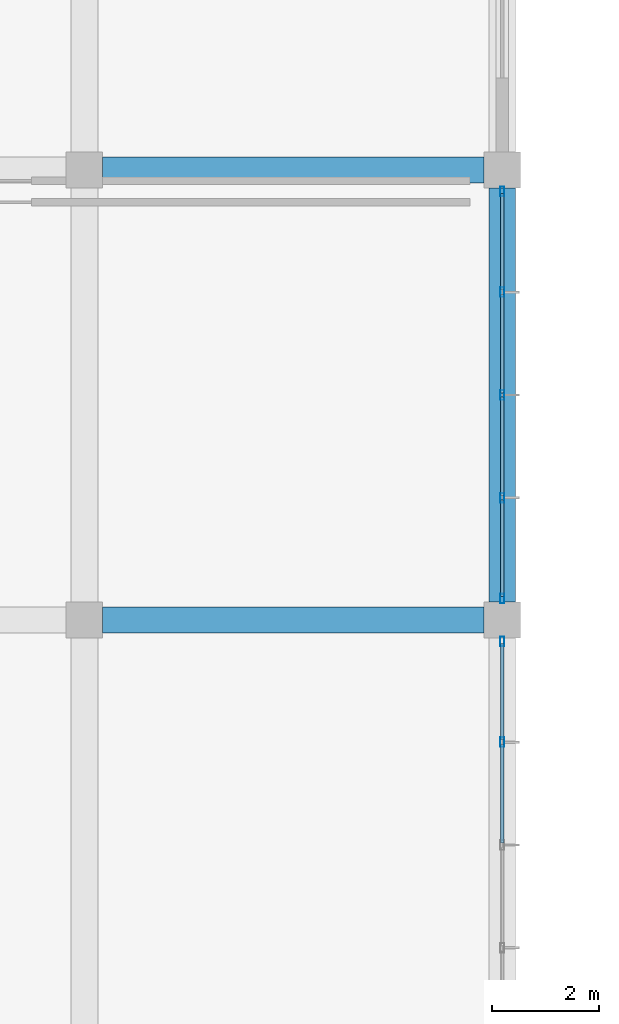
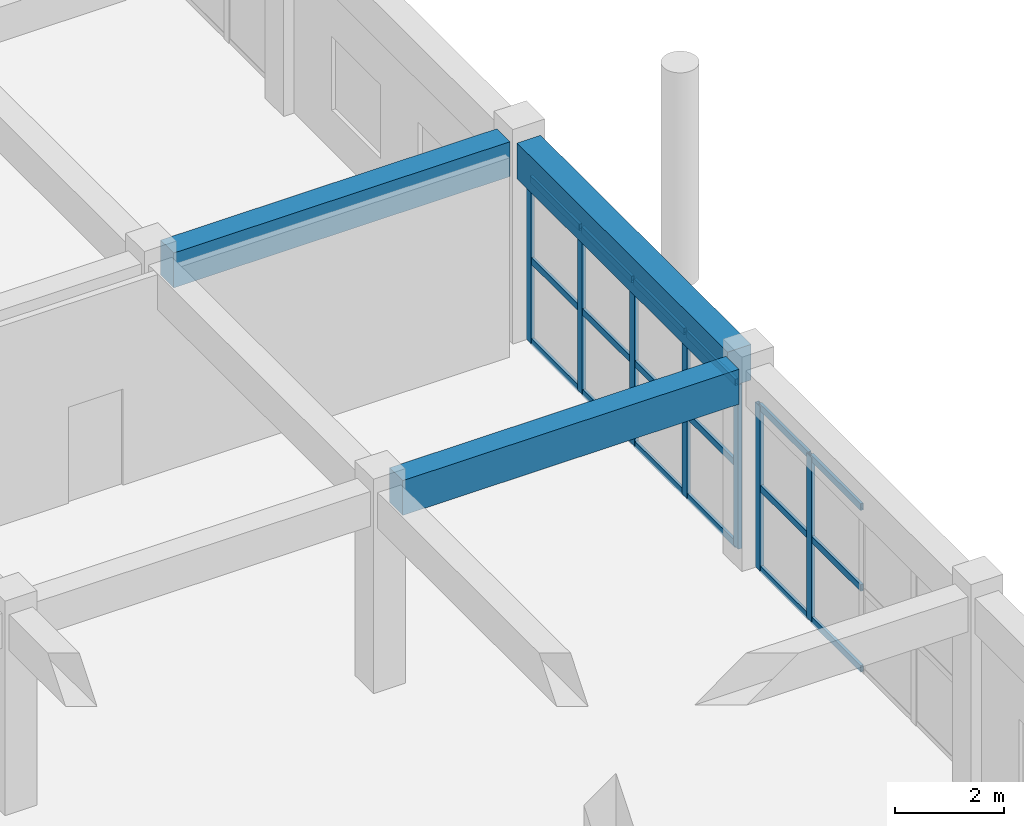
# One storey, part 119 of 175: 25 members, 3 beams, 2 elements without a shape of their own.
"""IFC4 building model written with IfcOpenShell, lengths in metres."""

import ifcopenshell
import ifcopenshell.guid

model = None  # the IFC model being written
_history = None  # IfcOwnerHistory: only IFC2X3 demands one
_inside = {}  # id of a spatial element -> (the spatial element, [elements in it])
_under = {}  # id of a project, library or spatial element -> (it, [spatial elements below it])
_declared = {}  # id of a project -> (the project, [libraries it declares])
_typed = {}  # id of a type object -> (the type object, [elements of that type])
_made_of = {}  # id of a material, layer set ... -> (it, [elements and type objects made of it])


def new_model(schema):
    """Start an empty IFC model of exactly this schema.

    Asked for "IFC4X3", IfcOpenShell would pick the latest addendum, in which some entities
    have other attributes; the version numbers below select the first issue.
    IFC2X3 requires an IfcOwnerHistory on every rooted entity: one is made here for all.
    """
    global model, _history
    if schema == "IFC4X3":
        model = ifcopenshell.file(schema_version=(4, 3, 0, 0))
    else:
        model = ifcopenshell.file(schema=schema)
    _inside.clear()
    _under.clear()
    _declared.clear()
    _typed.clear()
    _made_of.clear()
    _history = None
    if model.schema == "IFC2X3":
        org = make("IfcOrganization", Name="unknown")
        user = make(
            "IfcPersonAndOrganization",
            ThePerson=make("IfcPerson", FamilyName="unknown"),
            TheOrganization=org,
        )
        app = make(
            "IfcApplication",
            ApplicationDeveloper=org,
            Version="unknown",
            ApplicationFullName="unknown",
            ApplicationIdentifier="unknown",
        )
        _history = make(
            "IfcOwnerHistory",
            OwningUser=user,
            OwningApplication=app,
            ChangeAction="ADDED",
            CreationDate=0,
        )
    return model


def make(cls, **values):
    """One entity of the class cls with the attributes given. An attribute that is None is left unset."""
    return model.create_entity(
        cls, **{name: value for name, value in values.items() if value is not None}
    )


def rooted(cls, **values):
    """An entity with a GlobalId (a new one), such as an element, a storey or a relation."""
    return make(cls, GlobalId=ifcopenshell.guid.new(), OwnerHistory=_history, **values)


def si_unit(unit_type, name, prefix=None):
    """IfcSIUnit, for example si_unit("LENGTHUNIT", "METRE", prefix="MILLI")."""
    return make("IfcSIUnit", UnitType=unit_type, Prefix=prefix, Name=name)


def assignment(units):
    """IfcUnitAssignment: the units of a project."""
    return None if units is None else make("IfcUnitAssignment", Units=units)


def point(xyz):
    """IfcCartesianPoint."""
    return None if xyz is None else make("IfcCartesianPoint", Coordinates=xyz)


def direction(xyz):
    """IfcDirection."""
    return None if xyz is None else make("IfcDirection", DirectionRatios=xyz)


def frame(location, z_axis=None, x_axis=None):
    """IfcAxis2Placement3D, a coordinate frame: its origin and axes. An axis left out is left unset."""
    return make(
        "IfcAxis2Placement3D",
        Location=point(location),
        Axis=direction(z_axis),
        RefDirection=direction(x_axis),
    )


def frame_2d(location, x_axis=None):
    """IfcAxis2Placement2D, a coordinate frame in the plane: its origin and x axis."""
    return make(
        "IfcAxis2Placement2D", Location=point(location), RefDirection=direction(x_axis)
    )


def origin():
    """The frame at (0, 0, 0) with its axes left unset."""
    return frame((0.0, 0.0, 0.0))


def origin_2d():
    """The frame at (0, 0) in the plane with its x axis left unset."""
    return frame_2d((0.0, 0.0))


def place(relative_to, where):
    """IfcLocalPlacement: puts the frame where relative to a parent placement (None: the world)."""
    return make(
        "IfcLocalPlacement", PlacementRelTo=relative_to, RelativePlacement=where
    )


def context(
    kind, dimensions, precision=None, world=None, true_north=None, identifier=None
):
    """IfcGeometricRepresentationContext, for example the 3D "Model" context."""
    return make(
        "IfcGeometricRepresentationContext",
        ContextIdentifier=identifier,
        ContextType=kind,
        CoordinateSpaceDimension=dimensions,
        Precision=precision,
        WorldCoordinateSystem=world,
        TrueNorth=true_north,
    )


def subcontext(parent, identifier, kind, view, scale=None):
    """IfcGeometricRepresentationSubContext, for example "Body" below "Model"."""
    return make(
        "IfcGeometricRepresentationSubContext",
        ContextIdentifier=identifier,
        ContextType=kind,
        ParentContext=parent,
        TargetScale=scale,
        TargetView=view,
    )


def project(units=None, contexts=None):
    """IfcProject with its units and contexts."""
    return rooted(
        "IfcProject",
        Name="project",
        RepresentationContexts=contexts,
        UnitsInContext=assignment(units),
    )


def spatial(cls, under=None, at=None, **own):
    """A site, building, storey or space (cls), placed at a placement, below another one or the project."""
    s = rooted(cls, ObjectPlacement=at, **own)
    if under is not None:
        _under.setdefault(under.id(), (under, []))[1].append(s)
    return s


def profile(cls, at=None, kind="AREA", **sizes):
    """A parametric profile (cls). Its sizes go by their IFC names, for example OverallWidth=200.0."""
    return make(cls, ProfileType=kind, Position=at, **sizes)


def rectangle(**sizes):
    """IfcRectangleProfileDef."""
    return profile("IfcRectangleProfileDef", **sizes)


def hollow_rectangle(**sizes):
    """IfcRectangleHollowProfileDef."""
    return profile("IfcRectangleHollowProfileDef", **sizes)


def extrude(swept, where, along, depth):
    """IfcExtrudedAreaSolid: the profile swept, set in the frame where, extruded along a direction by depth."""
    return make(
        "IfcExtrudedAreaSolid",
        SweptArea=swept,
        Position=where,
        ExtrudedDirection=direction(along),
        Depth=depth,
    )


def shape(context_of_items, identifier, shape_type, items):
    """IfcShapeRepresentation: the items that make up one representation, for example the "Body"."""
    return make(
        "IfcShapeRepresentation",
        ContextOfItems=context_of_items,
        RepresentationIdentifier=identifier,
        RepresentationType=shape_type,
        Items=items,
    )


def material(Name=None, Category=None):
    """IfcMaterial."""
    return make("IfcMaterial", Name=Name, Category=Category)


def layer(
    of_material, thickness, ventilated=None, Name=None, Category=None, Priority=None
):
    """IfcMaterialLayer: one layer of a wall or slab, of a material (None: an air gap)."""
    return make(
        "IfcMaterialLayer",
        Material=of_material,
        LayerThickness=thickness,
        IsVentilated=ventilated,
        Name=Name,
        Category=Category,
        Priority=Priority,
    )


def layer_set(layers, Name=None):
    """IfcMaterialLayerSet."""
    return make("IfcMaterialLayerSet", MaterialLayers=layers, LayerSetName=Name)


def material_profile(
    of_material, cross_section, Name=None, Category=None, Priority=None
):
    """IfcMaterialProfile: a cross section and its material."""
    return make(
        "IfcMaterialProfile",
        Name=Name,
        Material=of_material,
        Profile=cross_section,
        Priority=Priority,
        Category=Category,
    )


def profile_set(profiles, Name=None, composite=None):
    """IfcMaterialProfileSet."""
    return make(
        "IfcMaterialProfileSet",
        Name=Name,
        MaterialProfiles=profiles,
        CompositeProfile=composite,
    )


def made_of(thing, what):
    """Note that an element or type object is made of a material, layer set ...; save() writes the relation."""
    if what is not None:
        _made_of.setdefault(what.id(), (what, []))[1].append(thing)
    return thing


def type_object(cls, material=None, **own):
    """A type object (cls), such as IfcWallType, which elements share."""
    return made_of(rooted(cls, **own), material)


def element(
    cls,
    number,
    at=None,
    inside=None,
    cuts=None,
    type_object=None,
    material=None,
    context=None,
    identifier="Body",
    shape_type=None,
    held_by="IfcProductDefinitionShape",
    body=None,
    shapes=None,
    **own,
):
    """One element of the class cls, such as IfcWall. Its Tag is "e" and its number.

    at: its placement. inside: the storey or other place that contains it. cuts: it is an
    opening in that element (IfcRelVoidsElement). A single representation is given by context,
    identifier, shape_type and body (its items); several are given by shapes. held_by: the class
    of the entity that holds the representations. save() writes the other relations.
    """
    e = rooted(cls, Tag="e%d" % number, ObjectPlacement=at, **own)
    if body is not None:
        shapes = [shape(context, identifier, shape_type, body)]
    if shapes is not None:
        e.Representation = make(held_by, Representations=shapes)
    if inside is not None:
        _inside.setdefault(inside.id(), (inside, []))[1].append(e)
    if cuts is not None:
        rooted(
            "IfcRelVoidsElement", RelatingBuildingElement=cuts, RelatedOpeningElement=e
        )
    if type_object is not None:
        _typed.setdefault(type_object.id(), (type_object, []))[1].append(e)
    return made_of(e, material)


def aggregate(whole, parts):
    """IfcRelAggregates: a whole, such as a stair, and the parts it consists of."""
    return rooted("IfcRelAggregates", RelatingObject=whole, RelatedObjects=parts)


def save(model, path):
    """Write the relations noted so far, then the file.

    IfcRelAggregates (storeys below a building ...), IfcRelContainedInSpatialStructure (elements
    in a storey), IfcRelDefinesByType, IfcRelAssociatesMaterial and IfcRelDeclares: one each for
    every whole, place, type object, material and project.
    """
    for whole, parts in _under.values():
        aggregate(whole, parts)
    for where, things in _inside.values():
        rooted(
            "IfcRelContainedInSpatialStructure",
            RelatedElements=things,
            RelatingStructure=where,
        )
    for kind, things in _typed.values():
        rooted("IfcRelDefinesByType", RelatedObjects=things, RelatingType=kind)
    for what, things in _made_of.values():
        rooted("IfcRelAssociatesMaterial", RelatedObjects=things, RelatingMaterial=what)
    for by, libraries in _declared.values():
        rooted("IfcRelDeclares", RelatingContext=by, RelatedDefinitions=libraries)
    model.write(path)


model = new_model("IFC4")

# Units and contexts
model_context = context("Model", 3, precision=1e-05, world=origin(), true_north=direction((0.0, 1.0)))
body_context = subcontext(model_context, "Body", "Model", "MODEL_VIEW")
ifc_project = project(units=[si_unit("LENGTHUNIT", "METRE"), si_unit("AREAUNIT", "SQUARE_METRE"), si_unit("VOLUMEUNIT", "CUBIC_METRE"), si_unit("PLANEANGLEUNIT", "RADIAN"), si_unit("MASSUNIT", "GRAM", prefix="KILO")], contexts=[model_context])

# Site, building, storey
site_placement = place(None, origin())
site = spatial("IfcSite", under=ifc_project, at=site_placement, CompositionType="ELEMENT")
building_placement = place(site_placement, origin())
building = spatial("IfcBuilding", under=site, at=building_placement, Name="Zizhar Promenade General Hospital", CompositionType="ELEMENT")
storey_placement = place(building_placement, frame((0.0, 0.0, 4.800048828125)))
storey = spatial("IfcBuildingStorey", under=building, at=storey_placement, Name="L01", CompositionType="ELEMENT", Elevation=4.800048828125)

# Beams
ifc_material_1 = material(Name="Concrete C35/45", Category="concrete")
ifc_material_profile_1 = material_profile(ifc_material_1, rectangle(XDim=0.47998046875, YDim=0.780029296875, at=origin_2d()))
ifc_profile_set_1 = profile_set([ifc_material_profile_1], Name="Concrete C35/45")
beam_type_1 = type_object("IfcBeamType", Name="BM-RC-480x780", PredefinedType="BEAM", material=ifc_profile_set_1)
for number, where, z_axis, x_axis, name in (
    (1, (187.5400390625, 67.199951171875, 4.079833984375), (1.0, 0.0, 0.0), (0.0, 1.0, 0.0), "Grid Beam X L01 (24-8)"),
    (2, (187.5400390625, 75.60009765625, 4.079833984375), (1.0, 0.0, 0.0), (0.0, 1.0, 0.0), "Grid Beam X L01 (24-9)"),
):
    element("IfcBeam", number, at=place(storey_placement, frame(where, z_axis=z_axis, x_axis=x_axis)), inside=storey, type_object=beam_type_1, Name=name, PredefinedType="BEAM", context=body_context, shape_type="SweptSolid", body=[
        extrude(rectangle(XDim=0.47998046875, YDim=0.780029296875, at=origin_2d()), origin(), (0.0, 0.0, 1.0), 7.119873046875),
    ])
ifc_material_2 = material(Name="Concrete C35/45", Category="concrete")
ifc_material_profile_2 = material_profile(ifc_material_2, rectangle(XDim=0.5, YDim=0.800048828125, at=origin_2d()))
ifc_profile_set_2 = profile_set([ifc_material_profile_2], Name="Concrete C35/45")
beam_type_2 = type_object("IfcBeamType", Name="BM-RC-500x800", PredefinedType="BEAM", material=ifc_profile_set_2)
beam_placement = place(storey_placement, frame((195.0, 67.5400390625, 4.070068359375), z_axis=(0.0, 1.0, 0.0), x_axis=(-1.0, 0.0, 0.0)))
element("IfcBeam", 3, at=beam_placement, inside=storey, type_object=beam_type_2, Name="Grid Beam Y L01 (25-8)", PredefinedType="BEAM", context=body_context, shape_type="SweptSolid", body=[
    extrude(rectangle(XDim=0.5, YDim=0.800048828125, at=origin_2d()), origin(), (0.0, 0.0, 1.0), 7.719970703125),
])

# Curtain wall, members
ifc_material_3 = material(Name="Anodised aluminium 6063-T6 and low-E glass", Category="aluminium")
ifc_layer = layer(ifc_material_3, 0.159912109375)
ifc_layer_set = layer_set([ifc_layer], Name="Anodised aluminium 6063-T6 and low-E glass")
curtain_wall_type = type_object("IfcCurtainWallType", Name="CW-CLN-EXT", PredefinedType="NOTDEFINED", material=ifc_layer_set)
curtain_wall_1_placement = place(storey_placement, origin())
curtain_wall_1 = element("IfcCurtainWall", 4, at=curtain_wall_1_placement, inside=storey, type_object=curtain_wall_type, Name="Outpatient East Curtain Wall L01-7", PredefinedType="NOTDEFINED")
ifc_material_4 = material(Name="Anodised aluminium 6063-T6", Category="aluminium")
ifc_material_profile_3 = material_profile(ifc_material_4, hollow_rectangle(XDim=0.080078125, YDim=0.179931640625, WallThickness=0.0048828125, at=origin_2d()))
ifc_profile_set_3 = profile_set([ifc_material_profile_3], Name="Anodised aluminium 6063-T6")
member_type_1 = type_object("IfcMemberType", Name="CWM-ALU-180x80", PredefinedType="MULLION", material=ifc_profile_set_3)
member_1_placement = place(storey_placement, frame((195.0, 66.800048828125, 0.0), z_axis=(0.0, 0.0, 1.0), x_axis=(1.0, 0.0, 0.0)))
member_1 = element("IfcMember", 5, at=member_1_placement, type_object=member_type_1, Name="CW-09 mullion 1", PredefinedType="MULLION", context=body_context, shape_type="SweptSolid", body=[
    extrude(hollow_rectangle(XDim=0.080078125, YDim=0.179931640625, WallThickness=0.0048828125, at=origin_2d()), origin(), (0.0, 0.0, 1.0), 3.679931640625),
])
member_2_placement = place(storey_placement, frame((195.0, 64.919921875, 0.0), z_axis=(0.0, 0.0, 1.0), x_axis=(1.0, 0.0, 0.0)))
member_2 = element("IfcMember", 6, at=member_2_placement, type_object=member_type_1, Name="CW-09 mullion 2", PredefinedType="MULLION", context=body_context, shape_type="SweptSolid", body=[
    extrude(hollow_rectangle(XDim=0.080078125, YDim=0.179931640625, WallThickness=0.0048828125, at=origin_2d()), origin(), (0.0, 0.0, 1.0), 3.679931640625),
])

curtain_wall_2_placement = place(storey_placement, origin())
curtain_wall_2 = element("IfcCurtainWall", 7, at=curtain_wall_2_placement, inside=storey, type_object=curtain_wall_type, Name="Outpatient East Curtain Wall L01-8", PredefinedType="NOTDEFINED")
member_3_placement = place(storey_placement, frame((195.0, 75.199951171875, 0.0), z_axis=(0.0, 0.0, 1.0), x_axis=(1.0, 0.0, 0.0)))
member_3 = element("IfcMember", 8, at=member_3_placement, type_object=member_type_1, Name="CW-09 mullion 1", PredefinedType="MULLION", context=body_context, shape_type="SweptSolid", body=[
    extrude(hollow_rectangle(XDim=0.080078125, YDim=0.179931640625, WallThickness=0.0048828125, at=origin_2d()), origin(), (0.0, 0.0, 1.0), 3.679931640625),
])
member_4_placement = place(storey_placement, frame((195.0, 73.320068359375, 0.0), z_axis=(0.0, 0.0, 1.0), x_axis=(1.0, 0.0, 0.0)))
member_4 = element("IfcMember", 9, at=member_4_placement, type_object=member_type_1, Name="CW-09 mullion 2", PredefinedType="MULLION", context=body_context, shape_type="SweptSolid", body=[
    extrude(hollow_rectangle(XDim=0.080078125, YDim=0.179931640625, WallThickness=0.0048828125, at=origin_2d()), origin(), (0.0, 0.0, 1.0), 3.679931640625),
])
member_5_placement = place(storey_placement, frame((195.0, 71.39990234375, 0.0), z_axis=(0.0, 0.0, 1.0), x_axis=(1.0, 0.0, 0.0)))
member_5 = element("IfcMember", 10, at=member_5_placement, type_object=member_type_1, Name="CW-09 mullion 3", PredefinedType="MULLION", context=body_context, shape_type="SweptSolid", body=[
    extrude(hollow_rectangle(XDim=0.080078125, YDim=0.179931640625, WallThickness=0.0048828125, at=origin_2d()), origin(), (0.0, 0.0, 1.0), 3.679931640625),
])
member_6_placement = place(storey_placement, frame((195.0, 69.47998046875, 0.0), z_axis=(0.0, 0.0, 1.0), x_axis=(1.0, 0.0, 0.0)))
member_6 = element("IfcMember", 11, at=member_6_placement, type_object=member_type_1, Name="CW-09 mullion 4", PredefinedType="MULLION", context=body_context, shape_type="SweptSolid", body=[
    extrude(hollow_rectangle(XDim=0.080078125, YDim=0.179931640625, WallThickness=0.0048828125, at=origin_2d()), origin(), (0.0, 0.0, 1.0), 3.679931640625),
])
member_7_placement = place(storey_placement, frame((195.0, 67.60009765625, 0.0), z_axis=(0.0, 0.0, 1.0), x_axis=(1.0, 0.0, 0.0)))
member_7 = element("IfcMember", 12, at=member_7_placement, type_object=member_type_1, Name="CW-09 mullion 5", PredefinedType="MULLION", context=body_context, shape_type="SweptSolid", body=[
    extrude(hollow_rectangle(XDim=0.080078125, YDim=0.179931640625, WallThickness=0.0048828125, at=origin_2d()), origin(), (0.0, 0.0, 1.0), 3.679931640625),
])

# Member
ifc_material_5 = material(Name="Anodised aluminium 6063-T6", Category="aluminium")
ifc_material_profile_4 = material_profile(ifc_material_5, hollow_rectangle(XDim=0.06005859375, YDim=0.14990234375, WallThickness=0.00390625, at=origin_2d()))
ifc_profile_set_4 = profile_set([ifc_material_profile_4], Name="Anodised aluminium 6063-T6")
member_type_2 = type_object("IfcMemberType", Name="CWT-ALU-150x60", PredefinedType="USERDEFINED", material=ifc_profile_set_4)
member_8_placement = place(storey_placement, frame((195.0, 66.760009765625, 0.030029296875), z_axis=(0.0, -1.0, 0.0), x_axis=(1.0, 0.0, 0.0)))
member_8 = element("IfcMember", 13, at=member_8_placement, type_object=member_type_2, Name="CW-09 transom 1.1", ObjectType="TRANSOM", PredefinedType="USERDEFINED", context=body_context, shape_type="SweptSolid", body=[
    extrude(hollow_rectangle(XDim=0.06005859375, YDim=0.14990234375, WallThickness=0.00390625, at=origin_2d()), origin(), (0.0, 0.0, 1.0), 1.800048828125),
])

member_9_placement = place(storey_placement, frame((195.0, 66.760009765625, 1.83984375), z_axis=(0.0, -1.0, 0.0), x_axis=(1.0, 0.0, 0.0)))
member_9 = element("IfcMember", 14, at=member_9_placement, type_object=member_type_2, Name="CW-09 transom 1.2", ObjectType="TRANSOM", PredefinedType="USERDEFINED", context=body_context, shape_type="SweptSolid", body=[
    extrude(hollow_rectangle(XDim=0.06005859375, YDim=0.14990234375, WallThickness=0.00390625, at=origin_2d()), origin(), (0.0, 0.0, 1.0), 1.800048828125),
])

member_10_placement = place(storey_placement, frame((195.0, 66.760009765625, 3.64990234375), z_axis=(0.0, -1.0, 0.0), x_axis=(1.0, 0.0, 0.0)))
member_10 = element("IfcMember", 15, at=member_10_placement, type_object=member_type_2, Name="CW-09 transom 1.3", ObjectType="TRANSOM", PredefinedType="USERDEFINED", context=body_context, shape_type="SweptSolid", body=[
    extrude(hollow_rectangle(XDim=0.06005859375, YDim=0.14990234375, WallThickness=0.00390625, at=origin_2d()), origin(), (0.0, 0.0, 1.0), 1.800048828125),
])

member_11_placement = place(storey_placement, frame((195.0, 64.8798828125, 0.030029296875), z_axis=(0.0, -1.0, 0.0), x_axis=(1.0, 0.0, 0.0)))
member_11 = element("IfcMember", 16, at=member_11_placement, type_object=member_type_2, Name="CW-09 transom 2.1", ObjectType="TRANSOM", PredefinedType="USERDEFINED", context=body_context, shape_type="SweptSolid", body=[
    extrude(hollow_rectangle(XDim=0.06005859375, YDim=0.14990234375, WallThickness=0.00390625, at=origin_2d()), origin(), (0.0, 0.0, 1.0), 1.83984375),
])

member_12_placement = place(storey_placement, frame((195.0, 64.8798828125, 1.83984375), z_axis=(0.0, -1.0, 0.0), x_axis=(1.0, 0.0, 0.0)))
member_12 = element("IfcMember", 17, at=member_12_placement, type_object=member_type_2, Name="CW-09 transom 2.2", ObjectType="TRANSOM", PredefinedType="USERDEFINED", context=body_context, shape_type="SweptSolid", body=[
    extrude(hollow_rectangle(XDim=0.06005859375, YDim=0.14990234375, WallThickness=0.00390625, at=origin_2d()), origin(), (0.0, 0.0, 1.0), 1.83984375),
])

member_13_placement = place(storey_placement, frame((195.0, 64.8798828125, 3.64990234375), z_axis=(0.0, -1.0, 0.0), x_axis=(1.0, 0.0, 0.0)))
member_13 = element("IfcMember", 18, at=member_13_placement, type_object=member_type_2, Name="CW-09 transom 2.3", ObjectType="TRANSOM", PredefinedType="USERDEFINED", context=body_context, shape_type="SweptSolid", body=[
    extrude(hollow_rectangle(XDim=0.06005859375, YDim=0.14990234375, WallThickness=0.00390625, at=origin_2d()), origin(), (0.0, 0.0, 1.0), 1.83984375),
])

aggregate(curtain_wall_1, [member_1, member_2, member_8, member_9, member_10, member_11, member_12, member_13])

member_14_placement = place(storey_placement, frame((195.0, 75.159912109375, 0.030029296875), z_axis=(0.0, -1.0, 0.0), x_axis=(1.0, 0.0, 0.0)))
member_14 = element("IfcMember", 19, at=member_14_placement, type_object=member_type_2, Name="CW-09 transom 1.1", ObjectType="TRANSOM", PredefinedType="USERDEFINED", context=body_context, shape_type="SweptSolid", body=[
    extrude(hollow_rectangle(XDim=0.06005859375, YDim=0.14990234375, WallThickness=0.00390625, at=origin_2d()), origin(), (0.0, 0.0, 1.0), 1.7998046875),
])

member_15_placement = place(storey_placement, frame((195.0, 75.159912109375, 1.83984375), z_axis=(0.0, -1.0, 0.0), x_axis=(1.0, 0.0, 0.0)))
member_15 = element("IfcMember", 20, at=member_15_placement, type_object=member_type_2, Name="CW-09 transom 1.2", ObjectType="TRANSOM", PredefinedType="USERDEFINED", context=body_context, shape_type="SweptSolid", body=[
    extrude(hollow_rectangle(XDim=0.06005859375, YDim=0.14990234375, WallThickness=0.00390625, at=origin_2d()), origin(), (0.0, 0.0, 1.0), 1.7998046875),
])

member_16_placement = place(storey_placement, frame((195.0, 75.159912109375, 3.64990234375), z_axis=(0.0, -1.0, 0.0), x_axis=(1.0, 0.0, 0.0)))
member_16 = element("IfcMember", 21, at=member_16_placement, type_object=member_type_2, Name="CW-09 transom 1.3", ObjectType="TRANSOM", PredefinedType="USERDEFINED", context=body_context, shape_type="SweptSolid", body=[
    extrude(hollow_rectangle(XDim=0.06005859375, YDim=0.14990234375, WallThickness=0.00390625, at=origin_2d()), origin(), (0.0, 0.0, 1.0), 1.7998046875),
])

member_17_placement = place(storey_placement, frame((195.0, 73.280029296875, 0.030029296875), z_axis=(0.0, -1.0, 0.0), x_axis=(1.0, 0.0, 0.0)))
member_17 = element("IfcMember", 22, at=member_17_placement, type_object=member_type_2, Name="CW-09 transom 2.1", ObjectType="TRANSOM", PredefinedType="USERDEFINED", context=body_context, shape_type="SweptSolid", body=[
    extrude(hollow_rectangle(XDim=0.06005859375, YDim=0.14990234375, WallThickness=0.00390625, at=origin_2d()), origin(), (0.0, 0.0, 1.0), 1.840087890625),
])

member_18_placement = place(storey_placement, frame((195.0, 73.280029296875, 1.83984375), z_axis=(0.0, -1.0, 0.0), x_axis=(1.0, 0.0, 0.0)))
member_18 = element("IfcMember", 23, at=member_18_placement, type_object=member_type_2, Name="CW-09 transom 2.2", ObjectType="TRANSOM", PredefinedType="USERDEFINED", context=body_context, shape_type="SweptSolid", body=[
    extrude(hollow_rectangle(XDim=0.06005859375, YDim=0.14990234375, WallThickness=0.00390625, at=origin_2d()), origin(), (0.0, 0.0, 1.0), 1.840087890625),
])

member_19_placement = place(storey_placement, frame((195.0, 73.280029296875, 3.64990234375), z_axis=(0.0, -1.0, 0.0), x_axis=(1.0, 0.0, 0.0)))
member_19 = element("IfcMember", 24, at=member_19_placement, type_object=member_type_2, Name="CW-09 transom 2.3", ObjectType="TRANSOM", PredefinedType="USERDEFINED", context=body_context, shape_type="SweptSolid", body=[
    extrude(hollow_rectangle(XDim=0.06005859375, YDim=0.14990234375, WallThickness=0.00390625, at=origin_2d()), origin(), (0.0, 0.0, 1.0), 1.840087890625),
])

member_20_placement = place(storey_placement, frame((195.0, 71.360107421875, 0.030029296875), z_axis=(0.0, -1.0, 0.0), x_axis=(1.0, 0.0, 0.0)))
member_20 = element("IfcMember", 25, at=member_20_placement, type_object=member_type_2, Name="CW-09 transom 3.1", ObjectType="TRANSOM", PredefinedType="USERDEFINED", context=body_context, shape_type="SweptSolid", body=[
    extrude(hollow_rectangle(XDim=0.06005859375, YDim=0.14990234375, WallThickness=0.00390625, at=origin_2d()), origin(), (0.0, 0.0, 1.0), 1.840087890625),
])

member_21_placement = place(storey_placement, frame((195.0, 71.360107421875, 1.83984375), z_axis=(0.0, -1.0, 0.0), x_axis=(1.0, 0.0, 0.0)))
member_21 = element("IfcMember", 26, at=member_21_placement, type_object=member_type_2, Name="CW-09 transom 3.2", ObjectType="TRANSOM", PredefinedType="USERDEFINED", context=body_context, shape_type="SweptSolid", body=[
    extrude(hollow_rectangle(XDim=0.06005859375, YDim=0.14990234375, WallThickness=0.00390625, at=origin_2d()), origin(), (0.0, 0.0, 1.0), 1.840087890625),
])

member_22_placement = place(storey_placement, frame((195.0, 71.360107421875, 3.64990234375), z_axis=(0.0, -1.0, 0.0), x_axis=(1.0, 0.0, 0.0)))
member_22 = element("IfcMember", 27, at=member_22_placement, type_object=member_type_2, Name="CW-09 transom 3.3", ObjectType="TRANSOM", PredefinedType="USERDEFINED", context=body_context, shape_type="SweptSolid", body=[
    extrude(hollow_rectangle(XDim=0.06005859375, YDim=0.14990234375, WallThickness=0.00390625, at=origin_2d()), origin(), (0.0, 0.0, 1.0), 1.840087890625),
])

member_23_placement = place(storey_placement, frame((195.0, 69.43994140625, 0.030029296875), z_axis=(0.0, -1.0, 0.0), x_axis=(1.0, 0.0, 0.0)))
member_23 = element("IfcMember", 28, at=member_23_placement, type_object=member_type_2, Name="CW-09 transom 4.1", ObjectType="TRANSOM", PredefinedType="USERDEFINED", context=body_context, shape_type="SweptSolid", body=[
    extrude(hollow_rectangle(XDim=0.06005859375, YDim=0.14990234375, WallThickness=0.00390625, at=origin_2d()), origin(), (0.0, 0.0, 1.0), 1.800048828125),
])

member_24_placement = place(storey_placement, frame((195.0, 69.43994140625, 1.83984375), z_axis=(0.0, -1.0, 0.0), x_axis=(1.0, 0.0, 0.0)))
member_24 = element("IfcMember", 29, at=member_24_placement, type_object=member_type_2, Name="CW-09 transom 4.2", ObjectType="TRANSOM", PredefinedType="USERDEFINED", context=body_context, shape_type="SweptSolid", body=[
    extrude(hollow_rectangle(XDim=0.06005859375, YDim=0.14990234375, WallThickness=0.00390625, at=origin_2d()), origin(), (0.0, 0.0, 1.0), 1.800048828125),
])

member_25_placement = place(storey_placement, frame((195.0, 69.43994140625, 3.64990234375), z_axis=(0.0, -1.0, 0.0), x_axis=(1.0, 0.0, 0.0)))
member_25 = element("IfcMember", 30, at=member_25_placement, type_object=member_type_2, Name="CW-09 transom 4.3", ObjectType="TRANSOM", PredefinedType="USERDEFINED", context=body_context, shape_type="SweptSolid", body=[
    extrude(hollow_rectangle(XDim=0.06005859375, YDim=0.14990234375, WallThickness=0.00390625, at=origin_2d()), origin(), (0.0, 0.0, 1.0), 1.800048828125),
])

aggregate(curtain_wall_2, [member_3, member_4, member_5, member_6, member_7, member_14, member_15, member_16, member_17, member_18, member_19, member_20, member_21, member_22, member_23, member_24, member_25])

save(model, "model.ifc")
